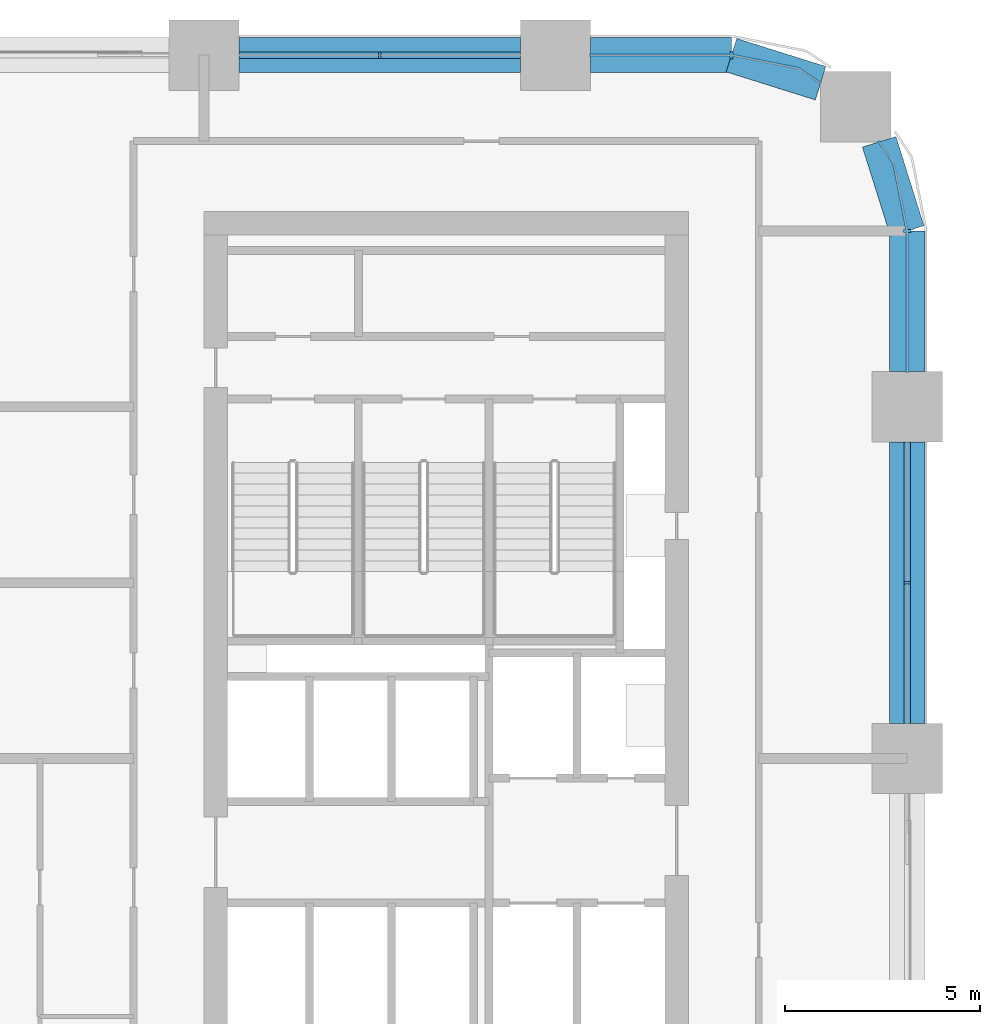
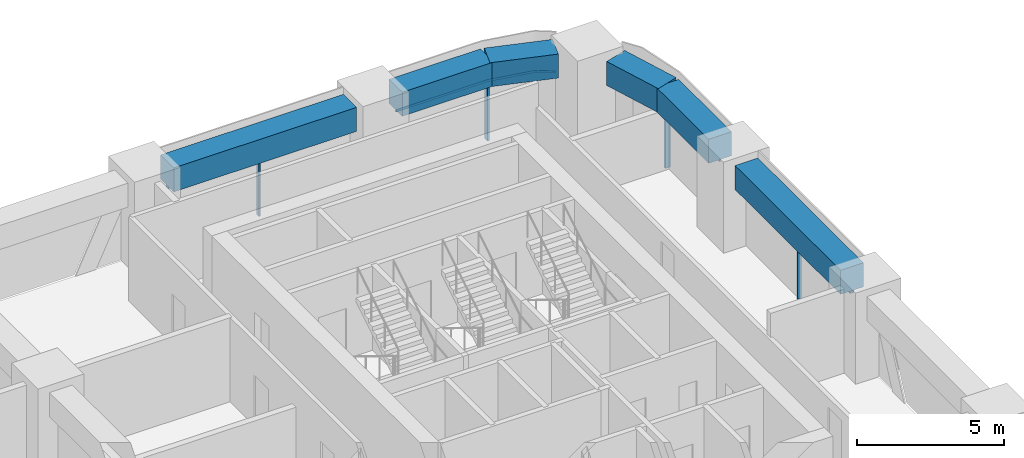
# One storey, part 8 of 18: 8 members, 6 beams, 4 elements without a shape of their own.
"""IFC4 building model written with IfcOpenShell, lengths in metres."""

from ifc_helpers import new_model, si_unit, direction, frame, origin, origin_2d, place, context, subcontext, project, spatial, polyline, rectangle, outline, extrude, material, material_profile, profile_set, type_object, element, aggregate, save


model = new_model("IFC4")

# Units and contexts
model_context = context("Model", 3, precision=1e-05, world=origin(), true_north=direction((0.0, 1.0)))
body_context = subcontext(model_context, "Body", "Model", "MODEL_VIEW")
ifc_project = project(units=[si_unit("LENGTHUNIT", "METRE"), si_unit("AREAUNIT", "SQUARE_METRE"), si_unit("VOLUMEUNIT", "CUBIC_METRE"), si_unit("PLANEANGLEUNIT", "RADIAN"), si_unit("MASSUNIT", "GRAM", prefix="KILO")], contexts=[model_context])

# Site, building, storey
site_placement = place(None, origin())
site = spatial("IfcSite", under=ifc_project, at=site_placement, CompositionType="ELEMENT")
building_placement = place(site_placement, origin())
building = spatial("IfcBuilding", under=site, at=building_placement, Name="Tessera Arch", CompositionType="ELEMENT")
storey_placement = place(building_placement, frame((0.0, 0.0, 104.39990234375)))
storey = spatial("IfcBuildingStorey", under=building, at=storey_placement, Name="L24", CompositionType="ELEMENT", Elevation=104.39990234375)

# Curtain wall, member
ifc_material_1 = material(Name="CW1 curtain wall")
curtain_wall_type_1 = type_object("IfcCurtainWallType", Name="CW1 curtain wall", PredefinedType="NOTDEFINED", material=ifc_material_1)
curtain_wall_1_placement = place(storey_placement, origin())
curtain_wall_1 = element("IfcCurtainWall", 1, at=curtain_wall_1_placement, inside=storey, type_object=curtain_wall_type_1, Name="CW1 curtain wall N54.0/0 L24", PredefinedType="NOTDEFINED")
ifc_material_2 = material(Name="Anodised aluminium pale metal", Category="aluminium")
ifc_material_profile_1 = material_profile(ifc_material_2, rectangle(XDim=0.159912109375, YDim=0.06005859375, at=origin_2d()), Name="AL 60x160")
ifc_profile_set_1 = profile_set([ifc_material_profile_1], Name="Anodised aluminium pale metal")
member_type_1 = type_object("IfcMemberType", Name="CW1 mullion", PredefinedType="MULLION", material=ifc_profile_set_1)
member_1_placement = place(storey_placement, frame((40.5, 54.0, 0.0), z_axis=(0.0, 0.0, 1.0), x_axis=(0.0, -1.0, 0.0)))
member_1 = element("IfcMember", 2, at=member_1_placement, type_object=member_type_1, Name="CW1 mullion N54.0/0 1", PredefinedType="MULLION", context=body_context, shape_type="SweptSolid", body=[
    extrude(rectangle(XDim=0.159912109375, YDim=0.06005859375, at=origin_2d()), origin(), (0.0, 0.0, 1.0), 2.400146484375),
])

curtain_wall_2_placement = place(storey_placement, origin())
curtain_wall_2 = element("IfcCurtainWall", 3, at=curtain_wall_2_placement, inside=storey, type_object=curtain_wall_type_1, Name="CW1 curtain wall E54.0/4 L24", PredefinedType="NOTDEFINED")
member_2_placement = place(storey_placement, frame((54.0, 40.5, 0.0), z_axis=(0.0, 0.0, 1.0), x_axis=(-1.0, 0.0, 0.0)))
member_2 = element("IfcMember", 4, at=member_2_placement, type_object=member_type_1, Name="CW1 mullion E54.0/4 1", PredefinedType="MULLION", context=body_context, shape_type="SweptSolid", body=[
    extrude(rectangle(XDim=0.159912109375, YDim=0.06005859375, at=origin_2d()), origin(), (0.0, 0.0, 1.0), 2.400146484375),
])

# Member
ifc_material_3 = material(Name="Anodised aluminium pale metal", Category="aluminium")
ifc_material_profile_2 = material_profile(ifc_material_3, rectangle(XDim=0.159912109375, YDim=0.10009765625, at=origin_2d()), Name="AL 160x100")
ifc_profile_set_2 = profile_set([ifc_material_profile_2], Name="Anodised aluminium pale metal")
member_type_2 = type_object("IfcMemberType", Name="CW1 transom", PredefinedType="USERDEFINED", material=ifc_profile_set_2)
member_3_placement = place(storey_placement, frame((44.10009765625, 54.0, 2.4501953125), z_axis=(-1.0, 0.0, 0.0), x_axis=(0.0, -1.0, 0.0)))
member_3 = element("IfcMember", 5, at=member_3_placement, type_object=member_type_2, Name="CW1 transom N54.0/0 1.1", ObjectType="TRANSOM", PredefinedType="USERDEFINED", context=body_context, shape_type="SweptSolid", body=[
    extrude(rectangle(XDim=0.159912109375, YDim=0.10009765625, at=origin_2d()), origin(), (0.0, 0.0, 1.0), 7.2001953125),
])

aggregate(curtain_wall_1, [member_1, member_3])

member_4_placement = place(storey_placement, frame((54.0, 36.89990234375, 2.4501953125), z_axis=(0.0, 1.0, 0.0), x_axis=(-1.0, 0.0, 0.0)))
member_4 = element("IfcMember", 6, at=member_4_placement, type_object=member_type_2, Name="CW1 transom E54.0/4 1.1", ObjectType="TRANSOM", PredefinedType="USERDEFINED", context=body_context, shape_type="SweptSolid", body=[
    extrude(rectangle(XDim=0.159912109375, YDim=0.10009765625, at=origin_2d()), origin(), (0.0, 0.0, 1.0), 7.2001953125),
])

aggregate(curtain_wall_2, [member_2, member_4])

# Curtain wall, member
ifc_material_4 = material(Name="CW2 curtain wall")
curtain_wall_type_2 = type_object("IfcCurtainWallType", Name="CW2 curtain wall", PredefinedType="NOTDEFINED", material=ifc_material_4)
curtain_wall_3_placement = place(storey_placement, origin())
curtain_wall_3 = element("IfcCurtainWall", 7, at=curtain_wall_3_placement, inside=storey, type_object=curtain_wall_type_2, Name="CW2 curtain wall E54.0/5 L24", PredefinedType="NOTDEFINED")
ifc_material_5 = material(Name="Anodised aluminium pale metal", Category="aluminium")
ifc_material_profile_3 = material_profile(ifc_material_5, rectangle(XDim=0.199951171875, YDim=0.080078125, at=origin_2d()), Name="AL 80x200")
ifc_profile_set_3 = profile_set([ifc_material_profile_3], Name="Anodised aluminium pale metal")
member_type_3 = type_object("IfcMemberType", Name="CW2 mullion", PredefinedType="MULLION", material=ifc_profile_set_3)
member_5_placement = place(storey_placement, frame((54.0, 49.5, 0.0), z_axis=(0.0, 0.0, 1.0), x_axis=(-1.0, 0.0, 0.0)))
member_5 = element("IfcMember", 8, at=member_5_placement, type_object=member_type_3, Name="CW2 mullion E54.0/5 1", PredefinedType="MULLION", context=body_context, shape_type="SweptSolid", body=[
    extrude(rectangle(XDim=0.199951171875, YDim=0.080078125, at=origin_2d()), origin(), (0.0, 0.0, 1.0), 2.400146484375),
])

curtain_wall_4_placement = place(storey_placement, origin())
curtain_wall_4 = element("IfcCurtainWall", 9, at=curtain_wall_4_placement, inside=storey, type_object=curtain_wall_type_2, Name="CW2 curtain wall N54.0/5 L24", PredefinedType="NOTDEFINED")
member_6_placement = place(storey_placement, frame((49.5, 54.0, 0.0), z_axis=(0.0, 0.0, 1.0), x_axis=(0.0, -1.0, 0.0)))
member_6 = element("IfcMember", 10, at=member_6_placement, type_object=member_type_3, Name="CW2 mullion N54.0/5 1", PredefinedType="MULLION", context=body_context, shape_type="SweptSolid", body=[
    extrude(rectangle(XDim=0.199951171875, YDim=0.080078125, at=origin_2d()), origin(), (0.0, 0.0, 1.0), 2.400146484375),
])

# Member
ifc_material_6 = material(Name="Anodised aluminium pale metal", Category="aluminium")
ifc_material_profile_4 = material_profile(ifc_material_6, rectangle(XDim=0.199951171875, YDim=0.10009765625, at=origin_2d()), Name="AL 200x100")
ifc_profile_set_4 = profile_set([ifc_material_profile_4], Name="Anodised aluminium pale metal")
member_type_4 = type_object("IfcMemberType", Name="CW2 transom", PredefinedType="USERDEFINED", material=ifc_profile_set_4)
member_7_placement = place(storey_placement, frame((0.0, 0.0, 2.400146484375)))
member_7 = element("IfcMember", 11, at=member_7_placement, type_object=member_type_4, Name="CW2 transom E54.0/5 1", ObjectType="TRANSOM", PredefinedType="USERDEFINED", context=body_context, shape_type="SweptSolid", body=[
    extrude(outline(polyline([(53.989990234375, 49.4990234375), (53.989990234375, 45.89990234375), (54.010009765625, 45.89990234375), (54.010009765625, 49.5009765625), (53.6669921875, 51.22607421875), (53.29150390625, 51.78759765625), (53.27490234375, 51.7763671875), (53.648193359375, 51.21826171875), (53.989990234375, 49.4990234375)])), origin(), (0.0, 0.0, 1.0), 0.099853515625),
])

aggregate(curtain_wall_3, [member_5, member_7])

member_8_placement = place(storey_placement, frame((0.0, 0.0, 2.400146484375)))
member_8 = element("IfcMember", 12, at=member_8_placement, type_object=member_type_4, Name="CW2 transom N54.0/5 1", ObjectType="TRANSOM", PredefinedType="USERDEFINED", context=body_context, shape_type="SweptSolid", body=[
    extrude(outline(polyline([(51.21826171875, 53.648193359375), (51.7763671875, 53.27490234375), (51.78759765625, 53.29150390625), (51.22607421875, 53.6669921875), (49.5009765625, 54.010009765625), (45.89990234375, 54.010009765625), (45.89990234375, 53.989990234375), (49.4990234375, 53.989990234375), (51.21826171875, 53.648193359375)])), origin(), (0.0, 0.0, 1.0), 0.099853515625),
])

aggregate(curtain_wall_4, [member_6, member_8])

# Beams
ifc_material_7 = material(Name="Concrete C80/95", Category="concrete")
ifc_material_profile_5 = material_profile(ifc_material_7, rectangle(XDim=0.89990234375, YDim=1.0, at=origin_2d()), Name="RC spandrel beam 900 x 1000 Concrete C80/95")
ifc_profile_set_5 = profile_set([ifc_material_profile_5], Name="Concrete C80/95")
beam_type = type_object("IfcBeamType", Name="RC spandrel beam 900 x 1000 Concrete C80/95", PredefinedType="BEAM", material=ifc_profile_set_5)
for number, where, z_axis, x_axis, name in (
    (13, (44.10009765625, 54.0, 3.0), (-1.0, 0.0, 0.0), (0.0, -1.0, 0.0), "Spandrel beam L24 N54.0/0"),
    (14, (54.0, 36.89990234375, 3.0), (0.0, 1.0, 0.0), (-1.0, 0.0, 0.0), "Spandrel beam L24 E54.0/4"),
):
    element("IfcBeam", number, at=place(storey_placement, frame(where, z_axis=z_axis, x_axis=x_axis)), inside=storey, type_object=beam_type, Name=name, PredefinedType="BEAM", context=body_context, shape_type="SweptSolid", body=[
        extrude(rectangle(XDim=0.89990234375, YDim=1.0, at=origin_2d()), origin(), (0.0, 0.0, 1.0), 7.2001953125),
    ])
beam_1_placement = place(storey_placement, frame((54.0, 45.89990234375, 3.0), z_axis=(0.0, 1.0, 0.0), x_axis=(-1.0, 0.0, 0.0)))
element("IfcBeam", 15, at=beam_1_placement, inside=storey, type_object=beam_type, Name="Spandrel beam L24 E54.0/5.1", PredefinedType="BEAM", context=body_context, shape_type="SweptSolid", body=[
    extrude(rectangle(XDim=0.89990234375, YDim=1.0, at=origin_2d()), origin(), (0.0, 0.0, 1.0), 3.60009765625),
])
for number, where, z_axis, x_axis, name in (
    (16, (54.0, 49.5, 3.0), (-0.299675309057, 0.954041251279, 0.0), (-0.954041251279, -0.299675309057, 0.0), "Spandrel beam L24 E54.0/5.2"),
    (17, (51.781982421875, 53.283203125, 3.0), (-0.954041251279, 0.299675309057, 0.0), (-0.299675309057, -0.954041251279, 0.0), "Spandrel beam L24 N54.0/5.1"),
):
    element("IfcBeam", number, at=place(storey_placement, frame(where, z_axis=z_axis, x_axis=x_axis)), inside=storey, type_object=beam_type, Name=name, PredefinedType="BEAM", context=body_context, shape_type="SweptSolid", body=[
        extrude(rectangle(XDim=0.89990234375, YDim=1.0, at=origin_2d()), origin(), (0.0, 0.0, 1.0), 2.391845703125),
    ])
beam_2_placement = place(storey_placement, frame((49.5, 54.0, 3.0), z_axis=(-1.0, 0.0, 0.0), x_axis=(0.0, -1.0, 0.0)))
element("IfcBeam", 18, at=beam_2_placement, inside=storey, type_object=beam_type, Name="Spandrel beam L24 N54.0/5.2", PredefinedType="BEAM", context=body_context, shape_type="SweptSolid", body=[
    extrude(rectangle(XDim=0.89990234375, YDim=1.0, at=origin_2d()), origin(), (0.0, 0.0, 1.0), 3.60009765625),
])

save(model, "model.ifc")
